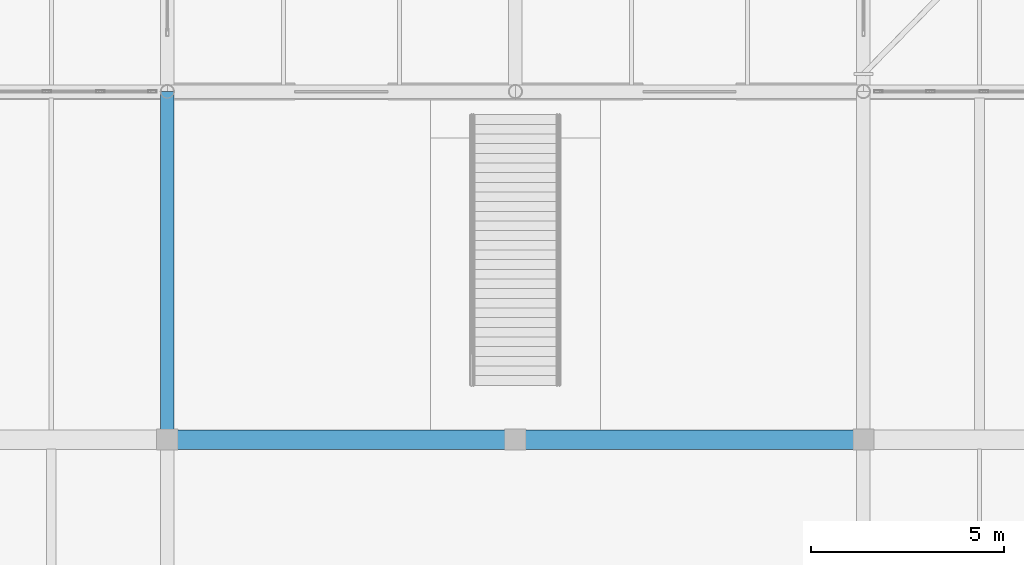
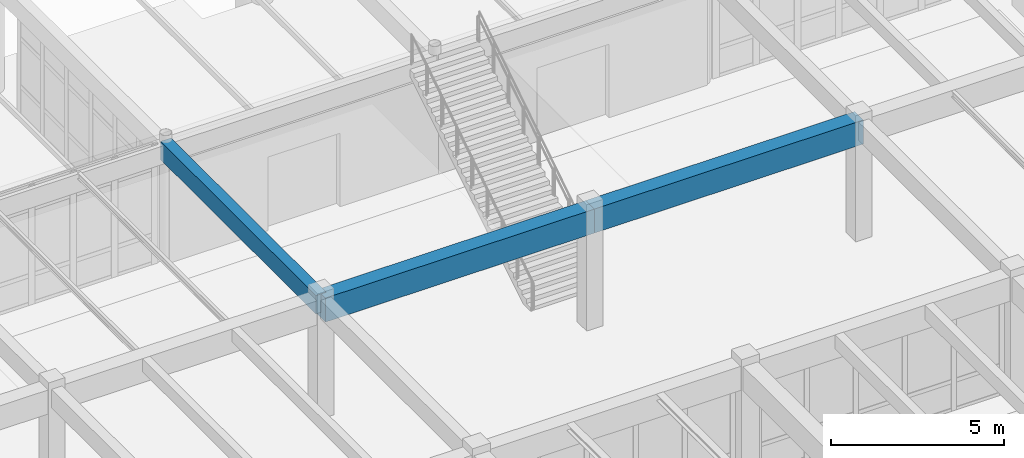
# One storey, part 94 of 186: 3 beams.
"""IFC4 building model written with IfcOpenShell, lengths in metres."""

import ifcopenshell
import ifcopenshell.guid

model = None  # the IFC model being written
_history = None  # IfcOwnerHistory: only IFC2X3 demands one
_inside = {}  # id of a spatial element -> (the spatial element, [elements in it])
_under = {}  # id of a project, library or spatial element -> (it, [spatial elements below it])
_declared = {}  # id of a project -> (the project, [libraries it declares])
_typed = {}  # id of a type object -> (the type object, [elements of that type])
_made_of = {}  # id of a material, layer set ... -> (it, [elements and type objects made of it])


def new_model(schema):
    """Start an empty IFC model of exactly this schema.

    Asked for "IFC4X3", IfcOpenShell would pick the latest addendum, in which some entities
    have other attributes; the version numbers below select the first issue.
    IFC2X3 requires an IfcOwnerHistory on every rooted entity: one is made here for all.
    """
    global model, _history
    if schema == "IFC4X3":
        model = ifcopenshell.file(schema_version=(4, 3, 0, 0))
    else:
        model = ifcopenshell.file(schema=schema)
    _inside.clear()
    _under.clear()
    _declared.clear()
    _typed.clear()
    _made_of.clear()
    _history = None
    if model.schema == "IFC2X3":
        org = make("IfcOrganization", Name="unknown")
        user = make(
            "IfcPersonAndOrganization",
            ThePerson=make("IfcPerson", FamilyName="unknown"),
            TheOrganization=org,
        )
        app = make(
            "IfcApplication",
            ApplicationDeveloper=org,
            Version="unknown",
            ApplicationFullName="unknown",
            ApplicationIdentifier="unknown",
        )
        _history = make(
            "IfcOwnerHistory",
            OwningUser=user,
            OwningApplication=app,
            ChangeAction="ADDED",
            CreationDate=0,
        )
    return model


def make(cls, **values):
    """One entity of the class cls with the attributes given. An attribute that is None is left unset."""
    return model.create_entity(
        cls, **{name: value for name, value in values.items() if value is not None}
    )


def rooted(cls, **values):
    """An entity with a GlobalId (a new one), such as an element, a storey or a relation."""
    return make(cls, GlobalId=ifcopenshell.guid.new(), OwnerHistory=_history, **values)


def si_unit(unit_type, name, prefix=None):
    """IfcSIUnit, for example si_unit("LENGTHUNIT", "METRE", prefix="MILLI")."""
    return make("IfcSIUnit", UnitType=unit_type, Prefix=prefix, Name=name)


def assignment(units):
    """IfcUnitAssignment: the units of a project."""
    return None if units is None else make("IfcUnitAssignment", Units=units)


def point(xyz):
    """IfcCartesianPoint."""
    return None if xyz is None else make("IfcCartesianPoint", Coordinates=xyz)


def direction(xyz):
    """IfcDirection."""
    return None if xyz is None else make("IfcDirection", DirectionRatios=xyz)


def frame(location, z_axis=None, x_axis=None):
    """IfcAxis2Placement3D, a coordinate frame: its origin and axes. An axis left out is left unset."""
    return make(
        "IfcAxis2Placement3D",
        Location=point(location),
        Axis=direction(z_axis),
        RefDirection=direction(x_axis),
    )


def frame_2d(location, x_axis=None):
    """IfcAxis2Placement2D, a coordinate frame in the plane: its origin and x axis."""
    return make(
        "IfcAxis2Placement2D", Location=point(location), RefDirection=direction(x_axis)
    )


def origin():
    """The frame at (0, 0, 0) with its axes left unset."""
    return frame((0.0, 0.0, 0.0))


def origin_2d():
    """The frame at (0, 0) in the plane with its x axis left unset."""
    return frame_2d((0.0, 0.0))


def place(relative_to, where):
    """IfcLocalPlacement: puts the frame where relative to a parent placement (None: the world)."""
    return make(
        "IfcLocalPlacement", PlacementRelTo=relative_to, RelativePlacement=where
    )


def context(
    kind, dimensions, precision=None, world=None, true_north=None, identifier=None
):
    """IfcGeometricRepresentationContext, for example the 3D "Model" context."""
    return make(
        "IfcGeometricRepresentationContext",
        ContextIdentifier=identifier,
        ContextType=kind,
        CoordinateSpaceDimension=dimensions,
        Precision=precision,
        WorldCoordinateSystem=world,
        TrueNorth=true_north,
    )


def subcontext(parent, identifier, kind, view, scale=None):
    """IfcGeometricRepresentationSubContext, for example "Body" below "Model"."""
    return make(
        "IfcGeometricRepresentationSubContext",
        ContextIdentifier=identifier,
        ContextType=kind,
        ParentContext=parent,
        TargetScale=scale,
        TargetView=view,
    )


def project(units=None, contexts=None):
    """IfcProject with its units and contexts."""
    return rooted(
        "IfcProject",
        Name="project",
        RepresentationContexts=contexts,
        UnitsInContext=assignment(units),
    )


def spatial(cls, under=None, at=None, **own):
    """A site, building, storey or space (cls), placed at a placement, below another one or the project."""
    s = rooted(cls, ObjectPlacement=at, **own)
    if under is not None:
        _under.setdefault(under.id(), (under, []))[1].append(s)
    return s


def profile(cls, at=None, kind="AREA", **sizes):
    """A parametric profile (cls). Its sizes go by their IFC names, for example OverallWidth=200.0."""
    return make(cls, ProfileType=kind, Position=at, **sizes)


def rectangle(**sizes):
    """IfcRectangleProfileDef."""
    return profile("IfcRectangleProfileDef", **sizes)


def extrude(swept, where, along, depth):
    """IfcExtrudedAreaSolid: the profile swept, set in the frame where, extruded along a direction by depth."""
    return make(
        "IfcExtrudedAreaSolid",
        SweptArea=swept,
        Position=where,
        ExtrudedDirection=direction(along),
        Depth=depth,
    )


def shape(context_of_items, identifier, shape_type, items):
    """IfcShapeRepresentation: the items that make up one representation, for example the "Body"."""
    return make(
        "IfcShapeRepresentation",
        ContextOfItems=context_of_items,
        RepresentationIdentifier=identifier,
        RepresentationType=shape_type,
        Items=items,
    )


def material(Name=None, Category=None):
    """IfcMaterial."""
    return make("IfcMaterial", Name=Name, Category=Category)


def material_profile(
    of_material, cross_section, Name=None, Category=None, Priority=None
):
    """IfcMaterialProfile: a cross section and its material."""
    return make(
        "IfcMaterialProfile",
        Name=Name,
        Material=of_material,
        Profile=cross_section,
        Priority=Priority,
        Category=Category,
    )


def profile_set(profiles, Name=None, composite=None):
    """IfcMaterialProfileSet."""
    return make(
        "IfcMaterialProfileSet",
        Name=Name,
        MaterialProfiles=profiles,
        CompositeProfile=composite,
    )


def made_of(thing, what):
    """Note that an element or type object is made of a material, layer set ...; save() writes the relation."""
    if what is not None:
        _made_of.setdefault(what.id(), (what, []))[1].append(thing)
    return thing


def type_object(cls, material=None, **own):
    """A type object (cls), such as IfcWallType, which elements share."""
    return made_of(rooted(cls, **own), material)


def element(
    cls,
    number,
    at=None,
    inside=None,
    cuts=None,
    type_object=None,
    material=None,
    context=None,
    identifier="Body",
    shape_type=None,
    held_by="IfcProductDefinitionShape",
    body=None,
    shapes=None,
    **own,
):
    """One element of the class cls, such as IfcWall. Its Tag is "e" and its number.

    at: its placement. inside: the storey or other place that contains it. cuts: it is an
    opening in that element (IfcRelVoidsElement). A single representation is given by context,
    identifier, shape_type and body (its items); several are given by shapes. held_by: the class
    of the entity that holds the representations. save() writes the other relations.
    """
    e = rooted(cls, Tag="e%d" % number, ObjectPlacement=at, **own)
    if body is not None:
        shapes = [shape(context, identifier, shape_type, body)]
    if shapes is not None:
        e.Representation = make(held_by, Representations=shapes)
    if inside is not None:
        _inside.setdefault(inside.id(), (inside, []))[1].append(e)
    if cuts is not None:
        rooted(
            "IfcRelVoidsElement", RelatingBuildingElement=cuts, RelatedOpeningElement=e
        )
    if type_object is not None:
        _typed.setdefault(type_object.id(), (type_object, []))[1].append(e)
    return made_of(e, material)


def aggregate(whole, parts):
    """IfcRelAggregates: a whole, such as a stair, and the parts it consists of."""
    return rooted("IfcRelAggregates", RelatingObject=whole, RelatedObjects=parts)


def save(model, path):
    """Write the relations noted so far, then the file.

    IfcRelAggregates (storeys below a building ...), IfcRelContainedInSpatialStructure (elements
    in a storey), IfcRelDefinesByType, IfcRelAssociatesMaterial and IfcRelDeclares: one each for
    every whole, place, type object, material and project.
    """
    for whole, parts in _under.values():
        aggregate(whole, parts)
    for where, things in _inside.values():
        rooted(
            "IfcRelContainedInSpatialStructure",
            RelatedElements=things,
            RelatingStructure=where,
        )
    for kind, things in _typed.values():
        rooted("IfcRelDefinesByType", RelatedObjects=things, RelatingType=kind)
    for what, things in _made_of.values():
        rooted("IfcRelAssociatesMaterial", RelatedObjects=things, RelatingMaterial=what)
    for by, libraries in _declared.values():
        rooted("IfcRelDeclares", RelatingContext=by, RelatedDefinitions=libraries)
    model.write(path)


model = new_model("IFC4")

# Units and contexts
model_context = context("Model", 3, precision=1e-05, world=origin(), true_north=direction((0.0, 1.0)))
body_context = subcontext(model_context, "Body", "Model", "MODEL_VIEW")
ifc_project = project(units=[si_unit("LENGTHUNIT", "METRE"), si_unit("AREAUNIT", "SQUARE_METRE"), si_unit("VOLUMEUNIT", "CUBIC_METRE"), si_unit("PLANEANGLEUNIT", "RADIAN"), si_unit("MASSUNIT", "GRAM", prefix="KILO")], contexts=[model_context])

# Site, building, storey
site_placement = place(None, origin())
site = spatial("IfcSite", under=ifc_project, at=site_placement, CompositionType="ELEMENT")
building_placement = place(site_placement, origin())
building = spatial("IfcBuilding", under=site, at=building_placement, Name="Ornek Quay Market", CompositionType="ELEMENT")
storey_placement = place(building_placement, origin())
storey = spatial("IfcBuildingStorey", under=building, at=storey_placement, Name="L00", CompositionType="ELEMENT", Elevation=0.0)

# Beams
ifc_material_1 = material(Name="Concrete C35/45", Category="concrete")
ifc_material_profile_1 = material_profile(ifc_material_1, rectangle(XDim=0.35009765625, YDim=0.64990234375, at=origin_2d()), Name="RC 350x650", Category="concrete")
ifc_profile_set_1 = profile_set([ifc_material_profile_1], Name="Concrete C35/45")
beam_type_1 = type_object("IfcBeamType", Name="BM-CONC-350x650", PredefinedType="BEAM", material=ifc_profile_set_1)
beam_placement = place(storey_placement, frame((81.0, 101.0, 3.9150390625), z_axis=(0.0, 1.0, 0.0), x_axis=(-1.0, 0.0, 0.0)))
element("IfcBeam", 1, at=beam_placement, inside=storey, type_object=beam_type_1, Name="Primary beam B-CN1-104", PredefinedType="BEAM", context=body_context, shape_type="SweptSolid", body=[
    extrude(rectangle(XDim=0.35009765625, YDim=0.64990234375, at=origin_2d()), origin(), (0.0, 0.0, 1.0), 9.0),
])
ifc_material_2 = material(Name="Concrete C40/50", Category="concrete")
ifc_material_profile_2 = material_profile(ifc_material_2, rectangle(XDim=0.5, YDim=0.85009765625, at=origin_2d()), Name="RC 500x850", Category="concrete")
ifc_profile_set_2 = profile_set([ifc_material_profile_2], Name="Concrete C40/50")
beam_type_2 = type_object("IfcBeamType", Name="BM-GAL-500x850", PredefinedType="BEAM", material=ifc_profile_set_2)
for number, where, z_axis, x_axis, name in (
    (2, (81.0, 101.0, 3.81494140625), (1.0, 0.0, 0.0), (0.0, 1.0, 0.0), "Primary beam B-GL1-061"),
    (3, (90.0, 101.0, 3.81494140625), (1.0, 0.0, 0.0), (0.0, 1.0, 0.0), "Primary beam B-GL1-062"),
):
    element("IfcBeam", number, at=place(storey_placement, frame(where, z_axis=z_axis, x_axis=x_axis)), inside=storey, type_object=beam_type_2, Name=name, PredefinedType="BEAM", context=body_context, shape_type="SweptSolid", body=[
        extrude(rectangle(XDim=0.5, YDim=0.85009765625, at=origin_2d()), origin(), (0.0, 0.0, 1.0), 9.0),
    ])

save(model, "model.ifc")
